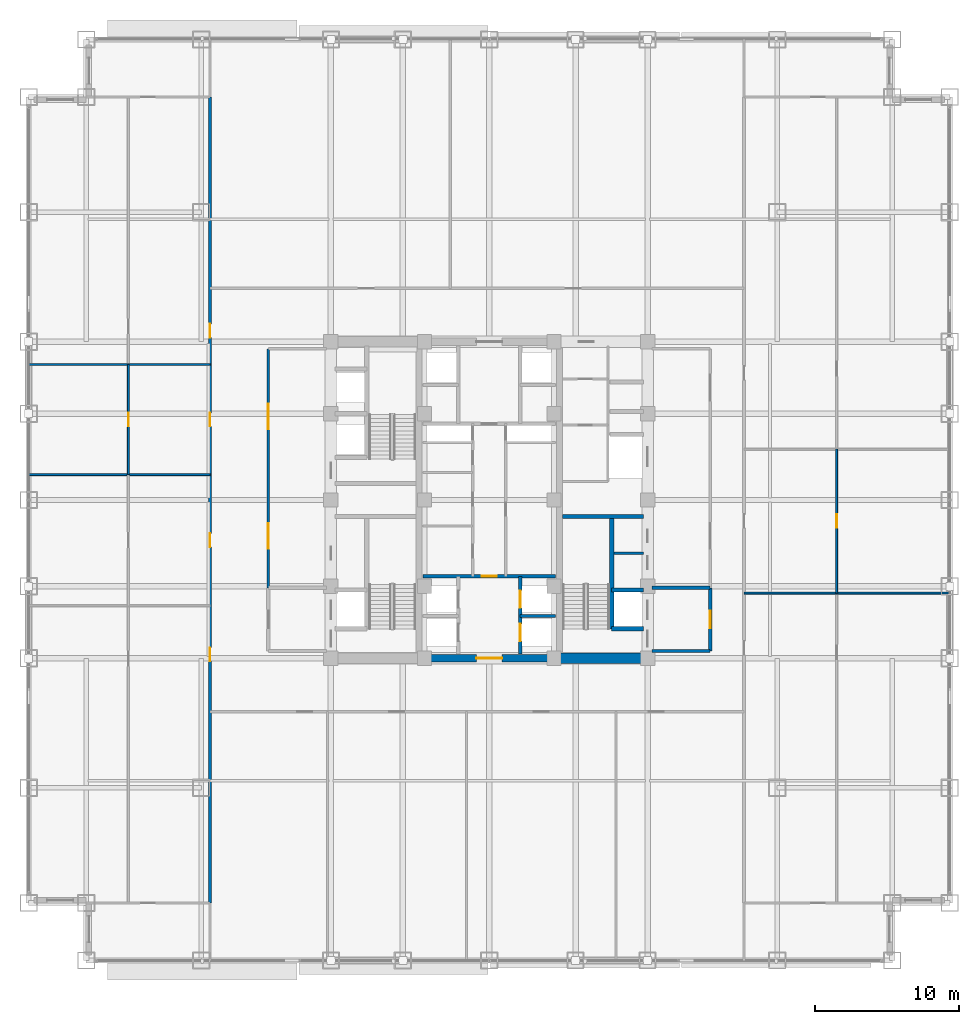
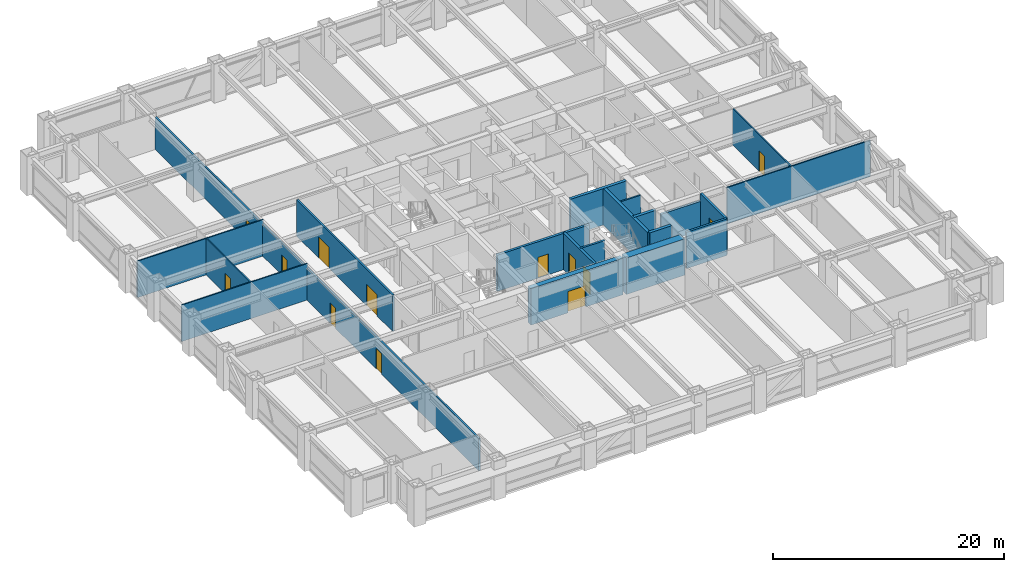
# One storey, part 24 of 32: 20 walls, 13 doors, 13 openings.
"""IFC4 building model written with IfcOpenShell, lengths in metres."""

from ifc_helpers import new_model, si_unit, direction, frame, frame_2d, origin, place, context, subcontext, project, spatial, rectangle, extrude, source, transform, mapped, material, layer, layer_set, type_object, element, fill, save


model = new_model("IFC4")

# Units and contexts
model_context = context("Model", 3, precision=1e-05, world=origin(), true_north=direction((0.0, 1.0)))
body_context = subcontext(model_context, "Body", "Model", "MODEL_VIEW")
ifc_project = project(units=[si_unit("LENGTHUNIT", "METRE"), si_unit("AREAUNIT", "SQUARE_METRE"), si_unit("VOLUMEUNIT", "CUBIC_METRE"), si_unit("PLANEANGLEUNIT", "RADIAN"), si_unit("MASSUNIT", "GRAM", prefix="KILO")], contexts=[model_context])

# Site, building, storey
site_placement = place(None, origin())
site = spatial("IfcSite", under=ifc_project, at=site_placement, CompositionType="ELEMENT")
building_placement = place(site_placement, origin())
building = spatial("IfcBuilding", under=site, at=building_placement, Name="Khorayat Bourse Tower", CompositionType="ELEMENT")
storey_placement = place(building_placement, frame((0.0, 0.0, 132.39990234375)))
storey = spatial("IfcBuildingStorey", under=building, at=storey_placement, Name="L30", CompositionType="ELEMENT", Elevation=132.39990234375)

# Walls
ifc_material_1 = material(Name="Concrete C72/90", Category="concrete")
ifc_layer_1 = layer(ifc_material_1, 0.75)
ifc_layer_set_1 = layer_set([ifc_layer_1], Name="Concrete C72/90")
wall_type_1 = type_object("IfcWallType", Name="WAL-CORE-750", PredefinedType="SHEAR", material=ifc_layer_set_1)
shared_shape_1 = source(origin(), body_context, "Body", "SweptSolid", [
    extrude(rectangle(XDim=5.849853515625, YDim=0.75, at=frame_2d((2.9248046875, 0.0))), origin(), (0.0, 0.0, 1.0), 3.840087890625),
])
wall_1_placement = place(storey_placement, frame((4.85009765625, -11.0, 0.0), z_axis=(0.0, 0.0, 1.0), x_axis=(1.0, 0.0, 0.0)))
element("IfcWall", 1, at=wall_1_placement, inside=storey, type_object=wall_type_1, Name="L30 Core Shear Wall PIER-ES", PredefinedType="SHEAR", context=body_context, shape_type="MappedRepresentation", body=[
    mapped(shared_shape_1, transform((0.0, 0.0, 0.0), scale=1.0)),
])
ifc_material_2 = material(Name="Concrete C50/60", Category="concrete")
ifc_layer_2 = layer(ifc_material_2, 0.300048828125)
ifc_layer_set_2 = layer_set([ifc_layer_2], Name="Concrete C50/60")
wall_type_2 = type_object("IfcWallType", Name="WAL-SHAFT-300", PredefinedType="SHEAR", material=ifc_layer_set_2)
shared_shape_2 = source(origin(), body_context, "Body", "SweptSolid", [
    extrude(rectangle(XDim=5.599853515625, YDim=0.300048828125, at=frame_2d((2.7998046875, 0.0))), origin(), (0.0, 0.0, 1.0), 3.840087890625),
])
wall_2_placement = place(storey_placement, frame((5.10009765625, -1.14990234375, 0.0), z_axis=(0.0, 0.0, 1.0), x_axis=(1.0, 0.0, 0.0)))
element("IfcWall", 2, at=wall_2_placement, inside=storey, type_object=wall_type_2, Name="L30 Core Shear Wall ST3-DIV", PredefinedType="SHEAR", context=body_context, shape_type="MappedRepresentation", body=[
    mapped(shared_shape_2, transform((0.0, 0.0, 0.0), scale=1.0)),
])

# Wall, opening, door
ifc_material_3 = material(Name="Concrete C52/65", Category="concrete")
ifc_layer_3 = layer(ifc_material_3, 0.5)
ifc_layer_set_3 = layer_set([ifc_layer_3], Name="Concrete C52/65")
wall_type_3 = type_object("IfcWallType", Name="WAL-CORE-500", PredefinedType="SHEAR", material=ifc_layer_set_3)
shared_shape_3 = source(origin(), body_context, "Body", "SweptSolid", [
    extrude(rectangle(XDim=9.2001953125, YDim=0.5, at=frame_2d((4.60009765625, 0.0))), origin(), (0.0, 0.0, 1.0), 3.840087890625),
])
wall_3_placement = place(storey_placement, frame((-4.60009765625, -11.0, 0.0), z_axis=(0.0, 0.0, 1.0), x_axis=(1.0, 0.0, 0.0)))
wall_3 = element("IfcWall", 3, at=wall_3_placement, inside=storey, type_object=wall_type_3, Name="L30 Core Shear Wall CORE-S", PredefinedType="SHEAR", context=body_context, shape_type="MappedRepresentation", body=[
    mapped(shared_shape_3, transform((0.0, 0.0, 0.0), scale=1.0)),
])
shared_shape_4 = source(origin(), body_context, "Body", "SweptSolid", [
    extrude(rectangle(XDim=1.800048828125, YDim=2.25, at=frame_2d((0.89990234375, 1.125))), frame((0.0, 0.260009765625, 0.0), z_axis=(0.0, -1.0, 0.0), x_axis=(1.0, 0.0, 0.0)), (0.0, 0.0, 1.0), 0.52001953125),
])
opening_1_placement = place(wall_3_placement, frame((3.699951171875, 0.0, 0.0)))
opening_1 = element("IfcOpeningElement", 4, at=opening_1_placement, cuts=wall_3, Name="Opening DI-03", PredefinedType="OPENING", context=body_context, shape_type="MappedRepresentation", body=[
    mapped(shared_shape_4, transform((0.0, 0.0, 0.0), scale=1.0)),
])
ifc_material_4 = material(Name="Fire-rated hardwood vision-panel double leaf", Category="wood")
door_type_1 = type_object("IfcDoorType", Name="DR-INT-CORR-1800", OperationType="NOTDEFINED", PredefinedType="DOOR", material=ifc_material_4)
shared_shape_5 = source(origin(), body_context, "Body", "SweptSolid", [
    extrude(rectangle(XDim=1.800048828125, YDim=2.25, at=frame_2d((0.89990234375, 1.125))), frame((0.0, 0.02490234375, 0.0), z_axis=(0.0, -1.0, 0.0), x_axis=(1.0, 0.0, 0.0)), (0.0, 0.0, 1.0), 0.050048828125),
])
door_1_placement = place(opening_1_placement, origin())
door_1 = element("IfcDoor", 5, at=door_1_placement, inside=storey, type_object=door_type_1, Name="L30 Low-Rise Lift Lobby Door", OperationType="SINGLE_SWING_LEFT", OverallHeight=2.25, OverallWidth=1.800048828125, PredefinedType="DOOR", context=body_context, shape_type="MappedRepresentation", body=[
    mapped(shared_shape_5, transform((0.0, 0.0, 0.0), scale=1.0)),
])
fill(opening_1, door_1)

# Walls
shared_shape_6 = source(origin(), body_context, "Body", "SweptSolid", [
    extrude(rectangle(XDim=7.800048828125, YDim=0.300048828125, at=frame_2d((3.89990234375, 0.0))), origin(), (0.0, 0.0, 1.0), 3.840087890625),
])
wall_4_placement = place(storey_placement, frame((8.5, -8.949951171875, 0.0), z_axis=(0.0, 0.0, 1.0), x_axis=(0.0, 1.0, 0.0)))
element("IfcWall", 6, at=wall_4_placement, inside=storey, type_object=wall_type_2, Name="L30 Partition WAL-L30-EPIER-SP", PredefinedType="SHEAR", context=body_context, shape_type="MappedRepresentation", body=[
    mapped(shared_shape_6, transform((0.0, 0.0, 0.0), scale=1.0)),
])
shared_shape_7 = source(origin(), body_context, "Body", "SweptSolid", [
    extrude(rectangle(XDim=2.199951171875, YDim=0.300048828125, at=frame_2d((1.10009765625, 0.0))), origin(), (0.0, 0.0, 1.0), 3.840087890625),
])
for number, where, z_axis, x_axis, name in (
    (7, (8.5, -8.949951171875, 0.0), (0.0, 0.0, 1.0), (1.0, 0.0, 0.0), "L30 Partition WAL-L30-EPIER-FF2S"),
    (8, (8.5, -6.25, 0.0), (0.0, 0.0, 1.0), (1.0, 0.0, 0.0), "L30 Partition WAL-L30-EPIER-FF2N"),
):
    element("IfcWall", number, at=place(storey_placement, frame(where, z_axis=z_axis, x_axis=x_axis)), inside=storey, type_object=wall_type_2, Name=name, PredefinedType="SHEAR", context=body_context, shape_type="MappedRepresentation", body=[
        mapped(shared_shape_7, transform((0.0, 0.0, 0.0), scale=1.0)),
    ])
ifc_material_5 = material(Name="Gypsum plasterboard twin-frame partition")
ifc_layer_4 = layer(ifc_material_5, 0.14990234375)
ifc_layer_set_4 = layer_set([ifc_layer_4], Name="Gypsum plasterboard twin-frame partition")
wall_type_4 = type_object("IfcWallType", Name="WAL-PART-SUITE-150", PredefinedType="PARTITIONING", material=ifc_layer_set_4)
shared_shape_8 = source(origin(), body_context, "Body", "SweptSolid", [
    extrude(rectangle(XDim=2.050048828125, YDim=0.14990234375, at=frame_2d((1.02490234375, 0.0))), origin(), (0.0, 0.0, 1.0), 3.840087890625),
])
wall_5_placement = place(storey_placement, frame((8.64990234375, -3.699951171875, 0.0), z_axis=(0.0, 0.0, 1.0), x_axis=(1.0, 0.0, 0.0)))
element("IfcWall", 9, at=wall_5_placement, inside=storey, type_object=wall_type_4, Name="L30 Partition WAL-L30-ESRV-D1", PredefinedType="PARTITIONING", context=body_context, shape_type="MappedRepresentation", body=[
    mapped(shared_shape_8, transform((0.0, 0.0, 0.0), scale=1.0)),
])
ifc_material_6 = material(Name="Aerated concrete blockwork", Category="masonry")
ifc_layer_5 = layer(ifc_material_6, 0.219970703125)
ifc_layer_set_5 = layer_set([ifc_layer_5], Name="Aerated concrete blockwork")
wall_type_5 = type_object("IfcWallType", Name="WAL-PART-FF-220", PredefinedType="PARTITIONING", material=ifc_layer_set_5)
shared_shape_9 = source(origin(), body_context, "Body", "SweptSolid", [
    extrude(rectangle(XDim=4.050048828125, YDim=0.219970703125, at=frame_2d((2.02490234375, 0.0))), origin(), (0.0, 0.0, 1.0), 3.840087890625),
])
wall_6_placement = place(storey_placement, frame((11.300048828125, -10.5, 0.0), z_axis=(0.0, 0.0, 1.0), x_axis=(1.0, 0.0, 0.0)))
element("IfcWall", 10, at=wall_6_placement, inside=storey, type_object=wall_type_5, Name="L30 Partition WAL-L30-FFLE-S", PredefinedType="PARTITIONING", context=body_context, shape_type="MappedRepresentation", body=[
    mapped(shared_shape_9, transform((0.0, 0.0, 0.0), scale=1.0)),
])
shared_shape_10 = source(origin(), body_context, "Body", "SweptSolid", [
    extrude(rectangle(XDim=4.050048828125, YDim=0.219970703125, at=frame_2d((2.02490234375, 0.0))), origin(), (0.0, 0.0, 1.0), 3.067138671875),
])
wall_7_placement = place(storey_placement, frame((11.300048828125, -6.10009765625, 0.0), z_axis=(0.0, 0.0, 1.0), x_axis=(1.0, 0.0, 0.0)))
element("IfcWall", 11, at=wall_7_placement, inside=storey, type_object=wall_type_5, Name="L30 Partition WAL-L30-FFLE-N", PredefinedType="PARTITIONING", context=body_context, shape_type="MappedRepresentation", body=[
    mapped(shared_shape_10, transform((0.0, 0.0, 0.0), scale=1.0)),
])

# Wall, opening, door
shared_shape_11 = source(origin(), body_context, "Body", "SweptSolid", [
    extrude(rectangle(XDim=4.39990234375, YDim=0.219970703125, at=frame_2d((2.199951171875, 0.0))), origin(), (0.0, 0.0, 1.0), 3.840087890625),
])
wall_8_placement = place(storey_placement, frame((15.35009765625, -10.5, 0.0), z_axis=(0.0, 0.0, 1.0), x_axis=(0.0, 1.0, 0.0)))
wall_8 = element("IfcWall", 12, at=wall_8_placement, inside=storey, type_object=wall_type_5, Name="L30 Partition WAL-L30-FFLE-E", PredefinedType="PARTITIONING", context=body_context, shape_type="MappedRepresentation", body=[
    mapped(shared_shape_11, transform((0.0, 0.0, 0.0), scale=1.0)),
])
shared_shape_12 = source(origin(), body_context, "Body", "SweptSolid", [
    extrude(rectangle(XDim=1.199951171875, YDim=2.199951171875, at=frame_2d((0.60009765625, 1.10009765625))), frame((0.0, 0.119873046875, 0.0), z_axis=(0.0, -1.0, 0.0), x_axis=(1.0, 0.0, 0.0)), (0.0, 0.0, 1.0), 0.239990234375),
])
opening_2_placement = place(wall_8_placement, frame((1.60009765625, 0.0, 0.0)))
opening_2 = element("IfcOpeningElement", 13, at=opening_2_placement, cuts=wall_8, Name="Opening DI-02", PredefinedType="OPENING", context=body_context, shape_type="MappedRepresentation", body=[
    mapped(shared_shape_12, transform((0.0, 0.0, 0.0), scale=1.0)),
])
ifc_material_7 = material(Name="Fire-rated steel double-seal leaf", Category="steel")
door_type_2 = type_object("IfcDoorType", Name="DR-INT-FFLOBBY-1200", OperationType="NOTDEFINED", PredefinedType="DOOR", material=ifc_material_7)
shared_shape_13 = source(origin(), body_context, "Body", "SweptSolid", [
    extrude(rectangle(XDim=1.199951171875, YDim=2.199951171875, at=frame_2d((0.60009765625, 1.10009765625))), frame((0.0, 0.02490234375, 0.0), z_axis=(0.0, -1.0, 0.0), x_axis=(1.0, 0.0, 0.0)), (0.0, 0.0, 1.0), 0.050048828125),
])
door_2_placement = place(opening_2_placement, origin())
door_2 = element("IfcDoor", 14, at=door_2_placement, inside=storey, type_object=door_type_2, Name="L30 East Firefighting Lobby Door", OperationType="SINGLE_SWING_RIGHT", OverallHeight=2.199951171875, OverallWidth=1.199951171875, PredefinedType="DOOR", context=body_context, shape_type="MappedRepresentation", body=[
    mapped(shared_shape_13, transform((0.0, 0.0, 0.0), scale=1.0)),
])
fill(opening_2, door_2)

# Wall, openings, doors
ifc_material_8 = material(Name="Gypsum plasterboard acoustic stud wall")
ifc_layer_6 = layer(ifc_material_8, 0.179931640625)
ifc_layer_set_6 = layer_set([ifc_layer_6], Name="Gypsum plasterboard acoustic stud wall")
wall_type_6 = type_object("IfcWallType", Name="WAL-PART-CORR-180", PredefinedType="PARTITIONING", material=ifc_layer_set_6)
shared_shape_14 = source(origin(), body_context, "Body", "SweptSolid", [
    extrude(rectangle(XDim=16.60009765625, YDim=0.179931640625, at=frame_2d((8.300048828125, 0.0))), origin(), (0.0, 0.0, 1.0), 3.840087890625),
])
wall_9_placement = place(storey_placement, frame((-15.35009765625, -6.10009765625, 0.0), z_axis=(0.0, 0.0, 1.0), x_axis=(0.0, 1.0, 0.0)))
wall_9 = element("IfcWall", 15, at=wall_9_placement, inside=storey, type_object=wall_type_6, Name="L30 Partition WAL-L30-WLOB-W", PredefinedType="PARTITIONING", context=body_context, shape_type="MappedRepresentation", body=[
    mapped(shared_shape_14, transform((0.0, 0.0, 0.0), scale=1.0)),
])
shared_shape_15 = source(origin(), body_context, "Body", "SweptSolid", [
    extrude(rectangle(XDim=1.800048828125, YDim=2.25, at=frame_2d((0.89990234375, 1.125))), frame((0.0, 0.099853515625, 0.0), z_axis=(0.0, -1.0, 0.0), x_axis=(1.0, 0.0, 0.0)), (0.0, 0.0, 1.0), 0.199951171875),
])
opening_3_placement = place(wall_9_placement, frame((2.699951171875, 0.0, 0.0)))
opening_3 = element("IfcOpeningElement", 16, at=opening_3_placement, cuts=wall_9, Name="Opening DI-03", PredefinedType="OPENING", context=body_context, shape_type="MappedRepresentation", body=[
    mapped(shared_shape_15, transform((0.0, 0.0, 0.0), scale=1.0)),
])
opening_4_placement = place(wall_9_placement, frame((11.0, 0.0, 0.0)))
opening_4 = element("IfcOpeningElement", 17, at=opening_4_placement, cuts=wall_9, Name="Opening DI-03", PredefinedType="OPENING", context=body_context, shape_type="MappedRepresentation", body=[
    mapped(shared_shape_15, transform((0.0, 0.0, 0.0), scale=1.0)),
])
door_3_placement = place(opening_3_placement, origin())
door_3 = element("IfcDoor", 18, at=door_3_placement, inside=storey, type_object=door_type_1, Name="L30 West Core Lobby South Door", OperationType="SINGLE_SWING_LEFT", OverallHeight=2.25, OverallWidth=1.800048828125, PredefinedType="DOOR", context=body_context, shape_type="MappedRepresentation", body=[
    mapped(shared_shape_5, transform((0.0, 0.0, 0.0), scale=1.0)),
])
fill(opening_3, door_3)
door_4_placement = place(opening_4_placement, origin())
door_4 = element("IfcDoor", 19, at=door_4_placement, inside=storey, type_object=door_type_1, Name="L30 West Core Lobby North Door", OperationType="SINGLE_SWING_RIGHT", OverallHeight=2.25, OverallWidth=1.800048828125, PredefinedType="DOOR", context=body_context, shape_type="MappedRepresentation", body=[
    mapped(shared_shape_5, transform((0.0, 0.0, 0.0), scale=1.0)),
])
fill(opening_4, door_4)

shared_shape_16 = source(origin(), body_context, "Body", "SweptSolid", [
    extrude(rectangle(XDim=5.39990234375, YDim=0.25, at=frame_2d((2.699951171875, 0.0))), origin(), (0.0, 0.0, 1.0), 3.840087890625),
])
wall_10_placement = place(storey_placement, frame((2.14990234375, -10.699951171875, 0.0), z_axis=(0.0, 0.0, 1.0), x_axis=(0.0, 1.0, 0.0)))
wall_10 = element("IfcWall", 20, at=wall_10_placement, inside=storey, type_object=wall_type_2, Name="L30 Partition WAL-L30-B1-E", PredefinedType="SHEAR", context=body_context, shape_type="MappedRepresentation", body=[
    mapped(shared_shape_16, transform((0.0, 0.0, 0.0), scale=1.0)),
])
shared_shape_17 = source(origin(), body_context, "Body", "SweptSolid", [
    extrude(rectangle(XDim=1.199951171875, YDim=2.300048828125, at=frame_2d((0.60009765625, 1.14990234375))), frame((0.0, 0.135009765625, 0.0), z_axis=(0.0, -1.0, 0.0), x_axis=(1.0, 0.0, 0.0)), (0.0, 0.0, 1.0), 0.27001953125),
])
opening_5_placement = place(wall_10_placement, frame((0.89990234375, 0.0, 0.0)))
opening_5 = element("IfcOpeningElement", 21, at=opening_5_placement, cuts=wall_10, Name="Opening LD-01", PredefinedType="OPENING", context=body_context, shape_type="MappedRepresentation", body=[
    mapped(shared_shape_17, transform((0.0, 0.0, 0.0), scale=1.0)),
])
opening_6_placement = place(wall_10_placement, frame((3.199951171875, 0.0, 0.0)))
opening_6 = element("IfcOpeningElement", 22, at=opening_6_placement, cuts=wall_10, Name="Opening LD-01", PredefinedType="OPENING", context=body_context, shape_type="MappedRepresentation", body=[
    mapped(shared_shape_17, transform((0.0, 0.0, 0.0), scale=1.0)),
])
ifc_material_9 = material(Name="Brushed bronze stainless-steel sliding door", Category="steel")
door_type_3 = type_object("IfcDoorType", Name="DR-LIFT-PASS-1200", OperationType="NOTDEFINED", PredefinedType="DOOR", material=ifc_material_9)
shared_shape_18 = source(origin(), body_context, "Body", "SweptSolid", [
    extrude(rectangle(XDim=1.199951171875, YDim=2.300048828125, at=frame_2d((0.60009765625, 1.14990234375))), frame((0.0, 0.02490234375, 0.0), z_axis=(0.0, -1.0, 0.0), x_axis=(1.0, 0.0, 0.0)), (0.0, 0.0, 1.0), 0.050048828125),
])
door_5_placement = place(opening_5_placement, origin())
door_5 = element("IfcDoor", 23, at=door_5_placement, inside=storey, type_object=door_type_3, Name="L30 Lift PL-L2 Sliding Landing Door", OperationType="SLIDING_TO_LEFT", OverallHeight=2.300048828125, OverallWidth=1.199951171875, PredefinedType="DOOR", context=body_context, shape_type="MappedRepresentation", body=[
    mapped(shared_shape_18, transform((0.0, 0.0, 0.0), scale=1.0)),
])
fill(opening_5, door_5)
door_6_placement = place(opening_6_placement, origin())
door_6 = element("IfcDoor", 24, at=door_6_placement, inside=storey, type_object=door_type_3, Name="L30 Lift PL-L4 Sliding Landing Door", OperationType="SLIDING_TO_LEFT", OverallHeight=2.300048828125, OverallWidth=1.199951171875, PredefinedType="DOOR", context=body_context, shape_type="MappedRepresentation", body=[
    mapped(shared_shape_18, transform((0.0, 0.0, 0.0), scale=1.0)),
])
fill(opening_6, door_6)

# Wall
shared_shape_19 = source(origin(), body_context, "Body", "SweptSolid", [
    extrude(rectangle(XDim=2.4501953125, YDim=0.199951171875, at=frame_2d((1.22509765625, 0.0))), origin(), (0.0, 0.0, 1.0), 3.840087890625),
])
wall_11_placement = place(storey_placement, frame((2.14990234375, -8.050048828125, 0.0), z_axis=(0.0, 0.0, 1.0), x_axis=(1.0, 0.0, 0.0)))
element("IfcWall", 25, at=wall_11_placement, inside=storey, type_object=wall_type_2, Name="L30 Partition WAL-L30-B1-ME", PredefinedType="SHEAR", context=body_context, shape_type="MappedRepresentation", body=[
    mapped(shared_shape_19, transform((0.0, 0.0, 0.0), scale=1.0)),
])

# Wall, opening, door
shared_shape_20 = source(origin(), body_context, "Body", "SweptSolid", [
    extrude(rectangle(XDim=9.2001953125, YDim=0.25, at=frame_2d((4.60009765625, 0.0))), origin(), (0.0, 0.0, 1.0), 3.840087890625),
])
wall_12_placement = place(storey_placement, frame((-4.60009765625, -5.300048828125, 0.0), z_axis=(0.0, 0.0, 1.0), x_axis=(1.0, 0.0, 0.0)))
wall_12 = element("IfcWall", 26, at=wall_12_placement, inside=storey, type_object=wall_type_2, Name="L30 Partition WAL-L30-B1-N", PredefinedType="SHEAR", context=body_context, shape_type="MappedRepresentation", body=[
    mapped(shared_shape_20, transform((0.0, 0.0, 0.0), scale=1.0)),
])
shared_shape_21 = source(origin(), body_context, "Body", "SweptSolid", [
    extrude(rectangle(XDim=1.050048828125, YDim=2.199951171875, at=frame_2d((0.52490234375, 1.10009765625))), frame((0.0, 0.135009765625, 0.0), z_axis=(0.0, -1.0, 0.0), x_axis=(1.0, 0.0, 0.0)), (0.0, 0.0, 1.0), 0.27001953125),
])
opening_7_placement = place(wall_12_placement, frame((4.074951171875, 0.0, 0.0)))
opening_7 = element("IfcOpeningElement", 27, at=opening_7_placement, cuts=wall_12, Name="Opening DI-04", PredefinedType="OPENING", context=body_context, shape_type="MappedRepresentation", body=[
    mapped(shared_shape_21, transform((0.0, 0.0, 0.0), scale=1.0)),
])
ifc_material_10 = material(Name="Fire-rated oak veneer suite entrance door")
door_type_4 = type_object("IfcDoorType", Name="DR-INT-SUITE-1050", OperationType="NOTDEFINED", PredefinedType="DOOR", material=ifc_material_10)
shared_shape_22 = source(origin(), body_context, "Body", "SweptSolid", [
    extrude(rectangle(XDim=1.050048828125, YDim=2.199951171875, at=frame_2d((0.52490234375, 1.10009765625))), frame((0.0, 0.02490234375, 0.0), z_axis=(0.0, -1.0, 0.0), x_axis=(1.0, 0.0, 0.0)), (0.0, 0.0, 1.0), 0.050048828125),
])
door_7_placement = place(opening_7_placement, origin())
door_7 = element("IfcDoor", 28, at=door_7_placement, inside=storey, type_object=door_type_4, Name="L30 Core Spine South Door", OperationType="SINGLE_SWING_LEFT", OverallHeight=2.199951171875, OverallWidth=1.050048828125, PredefinedType="DOOR", context=body_context, shape_type="MappedRepresentation", body=[
    mapped(shared_shape_22, transform((0.0, 0.0, 0.0), scale=1.0)),
])
fill(opening_7, door_7)

# Walls
ifc_material_11 = material(Name="Gypsum plasterboard partition")
ifc_layer_7 = layer(ifc_material_11, 0.125)
ifc_layer_set_7 = layer_set([ifc_layer_7], Name="Gypsum plasterboard partition")
wall_type_7 = type_object("IfcWallType", Name="WAL-PART-ROOM-125", PredefinedType="PARTITIONING", material=ifc_layer_set_7)
shared_shape_23 = source(origin(), body_context, "Body", "SweptSolid", [
    extrude(rectangle(XDim=12.60009765625, YDim=0.125, at=frame_2d((6.300048828125, 0.0))), origin(), (0.0, 0.0, 1.0), 3.840087890625),
])
for number, where, z_axis, x_axis, name in (
    (29, (-32.0, 1.763916015625, 0.0), (0.0, 0.0, 1.0), (1.0, 0.0, 0.0), "L30 Partition WAL-L30-WDV-2"),
    (30, (-32.0, 9.407958984375, 0.0), (0.0, 0.0, 1.0), (1.0, 0.0, 0.0), "L30 Partition WAL-L30-WDV-3"),
):
    element("IfcWall", number, at=place(storey_placement, frame(where, z_axis=z_axis, x_axis=x_axis)), inside=storey, type_object=wall_type_7, Name=name, PredefinedType="PARTITIONING", context=body_context, shape_type="MappedRepresentation", body=[
        mapped(shared_shape_23, transform((0.0, 0.0, 0.0), scale=1.0)),
    ])

# Wall, openings, doors
shared_shape_24 = source(origin(), body_context, "Body", "SweptSolid", [
    extrude(rectangle(XDim=56.0, YDim=0.179931640625, at=frame_2d((28.0, 0.0))), origin(), (0.0, 0.0, 1.0), 3.37109375),
])
wall_13_placement = place(storey_placement, frame((-19.39990234375, -28.0, 0.0), z_axis=(0.0, 0.0, 1.0), x_axis=(0.0, 1.0, 0.0)))
wall_13 = element("IfcWall", 31, at=wall_13_placement, inside=storey, type_object=wall_type_6, Name="L30 Partition WAL-L30-WCORR", PredefinedType="PARTITIONING", context=body_context, shape_type="MappedRepresentation", body=[
    mapped(shared_shape_24, transform((0.0, 0.0, 0.0), scale=1.0)),
])
shared_shape_25 = source(origin(), body_context, "Body", "SweptSolid", [
    extrude(rectangle(XDim=0.949951171875, YDim=2.14990234375, at=frame_2d((0.47509765625, 1.074951171875))), frame((0.0, 0.099853515625, 0.0), z_axis=(0.0, -1.0, 0.0), x_axis=(1.0, 0.0, 0.0)), (0.0, 0.0, 1.0), 0.199951171875),
])
opening_8_placement = place(wall_13_placement, frame((16.800048828125, 0.0, 0.0)))
opening_8 = element("IfcOpeningElement", 32, at=opening_8_placement, cuts=wall_13, Name="Opening DI-05", PredefinedType="OPENING", context=body_context, shape_type="MappedRepresentation", body=[
    mapped(shared_shape_25, transform((0.0, 0.0, 0.0), scale=1.0)),
])
opening_9_placement = place(wall_13_placement, frame((24.73193359375, 0.0, 0.0)))
opening_9 = element("IfcOpeningElement", 33, at=opening_9_placement, cuts=wall_13, Name="Opening DI-05", PredefinedType="OPENING", context=body_context, shape_type="MappedRepresentation", body=[
    mapped(shared_shape_25, transform((0.0, 0.0, 0.0), scale=1.0)),
])
opening_10_placement = place(wall_13_placement, frame((33.111083984375, 0.0, 0.0)))
opening_10 = element("IfcOpeningElement", 34, at=opening_10_placement, cuts=wall_13, Name="Opening DI-05", PredefinedType="OPENING", context=body_context, shape_type="MappedRepresentation", body=[
    mapped(shared_shape_25, transform((0.0, 0.0, 0.0), scale=1.0)),
])
opening_11_placement = place(wall_13_placement, frame((39.279052734375, 0.0, 0.0)))
opening_11 = element("IfcOpeningElement", 35, at=opening_11_placement, cuts=wall_13, Name="Opening DI-05", PredefinedType="OPENING", context=body_context, shape_type="MappedRepresentation", body=[
    mapped(shared_shape_25, transform((0.0, 0.0, 0.0), scale=1.0)),
])
ifc_material_12 = material(Name="Acoustic oak veneer office door")
door_type_5 = type_object("IfcDoorType", Name="DR-INT-OFFICE-950", OperationType="NOTDEFINED", PredefinedType="DOOR", material=ifc_material_12)
shared_shape_26 = source(origin(), body_context, "Body", "SweptSolid", [
    extrude(rectangle(XDim=0.949951171875, YDim=2.14990234375, at=frame_2d((0.47509765625, 1.074951171875))), frame((0.0, 0.02490234375, 0.0), z_axis=(0.0, -1.0, 0.0), x_axis=(1.0, 0.0, 0.0)), (0.0, 0.0, 1.0), 0.050048828125),
])
door_8_placement = place(opening_8_placement, origin())
door_8 = element("IfcDoor", 36, at=door_8_placement, inside=storey, type_object=door_type_5, Name="L30 Executive Boardroom W1 Door", OperationType="SINGLE_SWING_RIGHT", OverallHeight=2.14990234375, OverallWidth=0.949951171875, PredefinedType="DOOR", context=body_context, shape_type="MappedRepresentation", body=[
    mapped(shared_shape_26, transform((0.0, 0.0, 0.0), scale=1.0)),
])
fill(opening_8, door_8)
door_9_placement = place(opening_9_placement, origin())
door_9 = element("IfcDoor", 37, at=door_9_placement, inside=storey, type_object=door_type_5, Name="L30 Catering Servery Kitchen W2 Door", OperationType="SINGLE_SWING_LEFT", OverallHeight=2.14990234375, OverallWidth=0.949951171875, PredefinedType="DOOR", context=body_context, shape_type="MappedRepresentation", body=[
    mapped(shared_shape_26, transform((0.0, 0.0, 0.0), scale=1.0)),
])
fill(opening_9, door_9)
door_10_placement = place(opening_10_placement, origin())
door_10 = element("IfcDoor", 38, at=door_10_placement, inside=storey, type_object=door_type_5, Name="L30 Clearing Operations Office W3 Door", OperationType="SINGLE_SWING_RIGHT", OverallHeight=2.14990234375, OverallWidth=0.949951171875, PredefinedType="DOOR", context=body_context, shape_type="MappedRepresentation", body=[
    mapped(shared_shape_26, transform((0.0, 0.0, 0.0), scale=1.0)),
])
fill(opening_10, door_10)
door_11_placement = place(opening_11_placement, origin())
door_11 = element("IfcDoor", 39, at=door_11_placement, inside=storey, type_object=door_type_5, Name="L30 Clearing Records Archive Store W4 Door", OperationType="SINGLE_SWING_LEFT", OverallHeight=2.14990234375, OverallWidth=0.949951171875, PredefinedType="DOOR", context=body_context, shape_type="MappedRepresentation", body=[
    mapped(shared_shape_26, transform((0.0, 0.0, 0.0), scale=1.0)),
])
fill(opening_11, door_11)

# Wall
shared_shape_27 = source(origin(), body_context, "Body", "SweptSolid", [
    extrude(rectangle(XDim=14.300048828125, YDim=0.125, at=frame_2d((7.14990234375, 0.0))), origin(), (0.0, 0.0, 1.0), 3.840087890625),
])
wall_14_placement = place(storey_placement, frame((17.699951171875, -6.468017578125, 0.0), z_axis=(0.0, 0.0, 1.0), x_axis=(1.0, 0.0, 0.0)))
element("IfcWall", 40, at=wall_14_placement, inside=storey, type_object=wall_type_7, Name="L30 Partition WAL-L30-EDV-1", PredefinedType="PARTITIONING", context=body_context, shape_type="MappedRepresentation", body=[
    mapped(shared_shape_27, transform((0.0, 0.0, 0.0), scale=1.0)),
])

# Wall, opening, door
shared_shape_28 = source(origin(), body_context, "Body", "SweptSolid", [
    extrude(rectangle(XDim=7.64404296875, YDim=0.125, at=frame_2d((3.822021484375, 0.0))), origin(), (0.0, 0.0, 1.0), 3.840087890625),
])
wall_15_placement = place(storey_placement, frame((-25.070068359375, 1.763916015625, 0.0), z_axis=(0.0, 0.0, 1.0), x_axis=(0.0, 1.0, 0.0)))
wall_15 = element("IfcWall", 41, at=wall_15_placement, inside=storey, type_object=wall_type_7, Name="L30 Partition WAL-L30-WDP-3", PredefinedType="PARTITIONING", context=body_context, shape_type="MappedRepresentation", body=[
    mapped(shared_shape_28, transform((0.0, 0.0, 0.0), scale=1.0)),
])
shared_shape_29 = source(origin(), body_context, "Body", "SweptSolid", [
    extrude(rectangle(XDim=0.949951171875, YDim=2.14990234375, at=frame_2d((0.47509765625, 1.074951171875))), frame((0.0, 0.072509765625, 0.0), z_axis=(0.0, -1.0, 0.0), x_axis=(1.0, 0.0, 0.0)), (0.0, 0.0, 1.0), 0.14501953125),
])
opening_12_placement = place(wall_15_placement, frame((3.346923828125, 0.0, 0.0)))
opening_12 = element("IfcOpeningElement", 42, at=opening_12_placement, cuts=wall_15, Name="Opening DI-05", PredefinedType="OPENING", context=body_context, shape_type="MappedRepresentation", body=[
    mapped(shared_shape_29, transform((0.0, 0.0, 0.0), scale=1.0)),
])
door_12_placement = place(opening_12_placement, origin())
door_12 = element("IfcDoor", 43, at=door_12_placement, inside=storey, type_object=door_type_5, Name="L30 Equities Trading Desk W3B Door", OperationType="SINGLE_SWING_RIGHT", OverallHeight=2.14990234375, OverallWidth=0.949951171875, PredefinedType="DOOR", context=body_context, shape_type="MappedRepresentation", body=[
    mapped(shared_shape_26, transform((0.0, 0.0, 0.0), scale=1.0)),
])
fill(opening_12, door_12)

shared_shape_30 = source(origin(), body_context, "Body", "SweptSolid", [
    extrude(rectangle(XDim=9.99609375, YDim=0.125, at=frame_2d((4.998046875, 0.0))), origin(), (0.0, 0.0, 1.0), 3.840087890625),
])
wall_16_placement = place(storey_placement, frame((24.135009765625, -6.468017578125, 0.0), z_axis=(0.0, 0.0, 1.0), x_axis=(0.0, 1.0, 0.0)))
wall_16 = element("IfcWall", 44, at=wall_16_placement, inside=storey, type_object=wall_type_7, Name="L30 Partition WAL-L30-EDP-2", PredefinedType="PARTITIONING", context=body_context, shape_type="MappedRepresentation", body=[
    mapped(shared_shape_30, transform((0.0, 0.0, 0.0), scale=1.0)),
])
opening_13_placement = place(wall_16_placement, frame((4.52294921875, 0.0, 0.0)))
opening_13 = element("IfcOpeningElement", 45, at=opening_13_placement, cuts=wall_16, Name="Opening DI-05", PredefinedType="OPENING", context=body_context, shape_type="MappedRepresentation", body=[
    mapped(shared_shape_29, transform((0.0, 0.0, 0.0), scale=1.0)),
])
door_13_placement = place(opening_13_placement, origin())
door_13 = element("IfcDoor", 46, at=door_13_placement, inside=storey, type_object=door_type_5, Name="L30 Members Dining Room E2B Door", OperationType="SINGLE_SWING_LEFT", OverallHeight=2.14990234375, OverallWidth=0.949951171875, PredefinedType="DOOR", context=body_context, shape_type="MappedRepresentation", body=[
    mapped(shared_shape_26, transform((0.0, 0.0, 0.0), scale=1.0)),
])
fill(opening_13, door_13)

save(model, "model.ifc")
